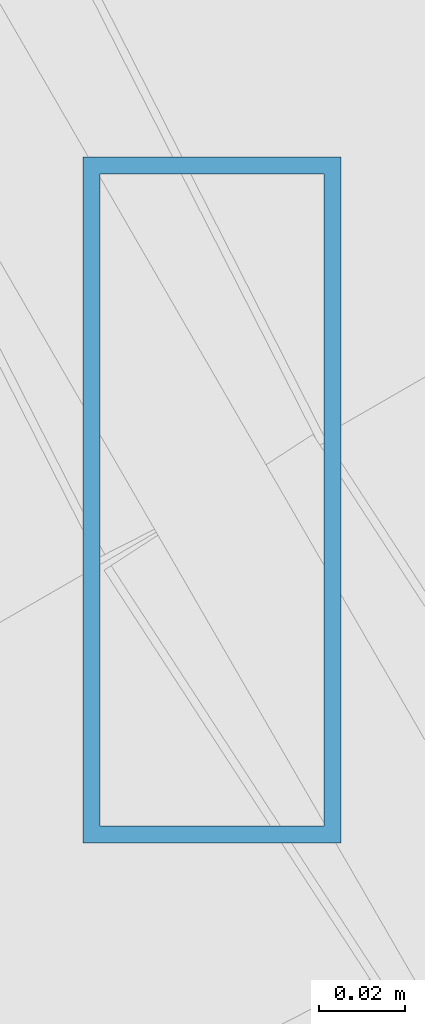
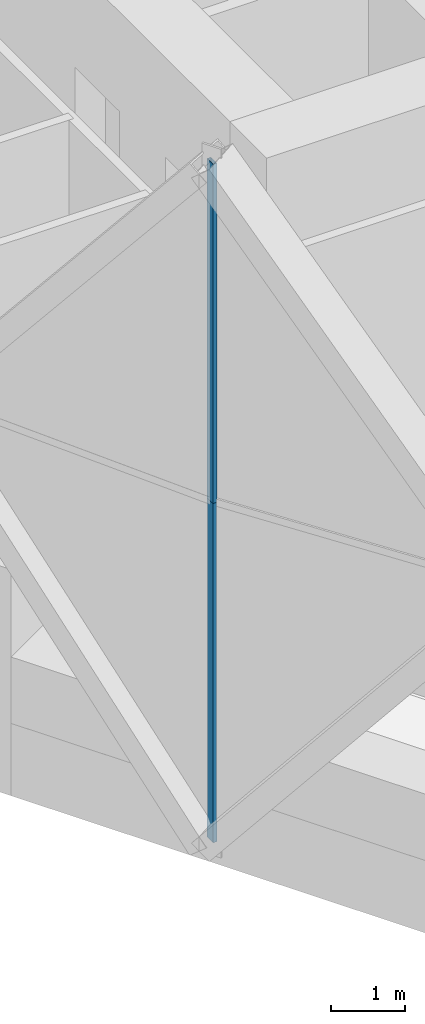
# One storey, part 3 of 21: 2 members, 1 element without a shape of its own.
"""IFC4 building model written with IfcOpenShell, lengths in metres."""

from ifc_helpers import new_model, si_unit, direction, frame, origin, origin_2d, place, context, subcontext, project, spatial, hollow_rectangle, extrude, material, material_profile, profile_set, type_object, element, aggregate, save


model = new_model("IFC4")

# Units and contexts
model_context = context("Model", 3, precision=1e-05, world=origin(), true_north=direction((0.0, 1.0)))
body_context = subcontext(model_context, "Body", "Model", "MODEL_VIEW")
ifc_project = project(units=[si_unit("LENGTHUNIT", "METRE"), si_unit("AREAUNIT", "SQUARE_METRE"), si_unit("VOLUMEUNIT", "CUBIC_METRE"), si_unit("PLANEANGLEUNIT", "RADIAN"), si_unit("MASSUNIT", "GRAM", prefix="KILO")], contexts=[model_context])

# Site, building, storey
site_placement = place(None, origin())
site = spatial("IfcSite", under=ifc_project, at=site_placement, CompositionType="ELEMENT")
building_placement = place(site_placement, origin())
building = spatial("IfcBuilding", under=site, at=building_placement, Name="Ostrander Bayou Hotel Tower", CompositionType="ELEMENT")
storey_placement = place(building_placement, frame((0.0, 0.0, 116.0)))
storey = spatial("IfcBuildingStorey", under=building, at=storey_placement, Name="L28", CompositionType="ELEMENT", Elevation=116.0)

# Curtain wall, members
ifc_material_1 = material(Name="Aluminium and clear glass", Category="aluminium")
curtain_wall_type = type_object("IfcCurtainWallType", Name="CW-LAT lattice glazing", PredefinedType="NOTDEFINED", material=ifc_material_1)
curtain_wall_placement = place(storey_placement, origin())
curtain_wall = element("IfcCurtainWall", 1, at=curtain_wall_placement, inside=storey, type_object=curtain_wall_type, Name="CW-LAT L28 SW 1", PredefinedType="NOTDEFINED")
ifc_material_2 = material(Name="Aluminium", Category="aluminium")
ifc_material_profile = material_profile(ifc_material_2, hollow_rectangle(XDim=0.06005859375, YDim=0.159912109375, WallThickness=0.00390625, at=origin_2d()))
ifc_profile_set = profile_set([ifc_material_profile], Name="Aluminium")
member_type = type_object("IfcMemberType", Name="CW-LA mullion 60 x 160 mm", PredefinedType="MULLION", material=ifc_profile_set)
member_1_placement = place(storey_placement, frame((-17.814208984375, -10.284912109375, -0.60009765625), z_axis=(0.0, 0.0, 1.0), x_axis=(1.0, 0.0, 0.0)))
member_1 = element("IfcMember", 2, at=member_1_placement, type_object=member_type, Name="CW-LAT mullion 4", PredefinedType="MULLION", context=body_context, shape_type="SweptSolid", body=[
    extrude(hollow_rectangle(XDim=0.06005859375, YDim=0.159912109375, WallThickness=0.00390625, at=origin_2d()), origin(), (0.0, 0.0, 1.0), 5.625),
])
member_2_placement = place(storey_placement, frame((-17.814208984375, -10.284912109375, 5.02490234375), z_axis=(0.0, 0.0, 1.0), x_axis=(1.0, 0.0, 0.0)))
member_2 = element("IfcMember", 3, at=member_2_placement, type_object=member_type, Name="CW-LAT mullion 5", PredefinedType="MULLION", context=body_context, shape_type="SweptSolid", body=[
    extrude(hollow_rectangle(XDim=0.06005859375, YDim=0.159912109375, WallThickness=0.00390625, at=origin_2d()), origin(), (0.0, 0.0, 1.0), 5.625),
])
aggregate(curtain_wall, [member_1, member_2])

save(model, "model.ifc")
